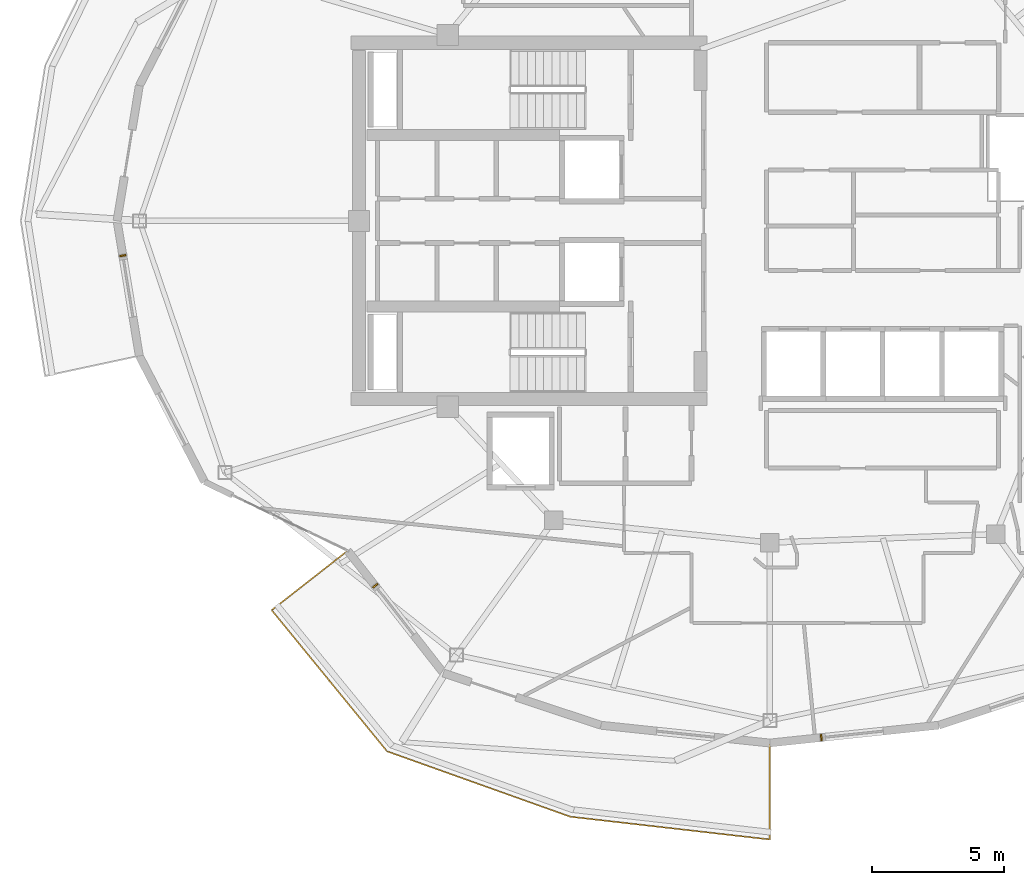
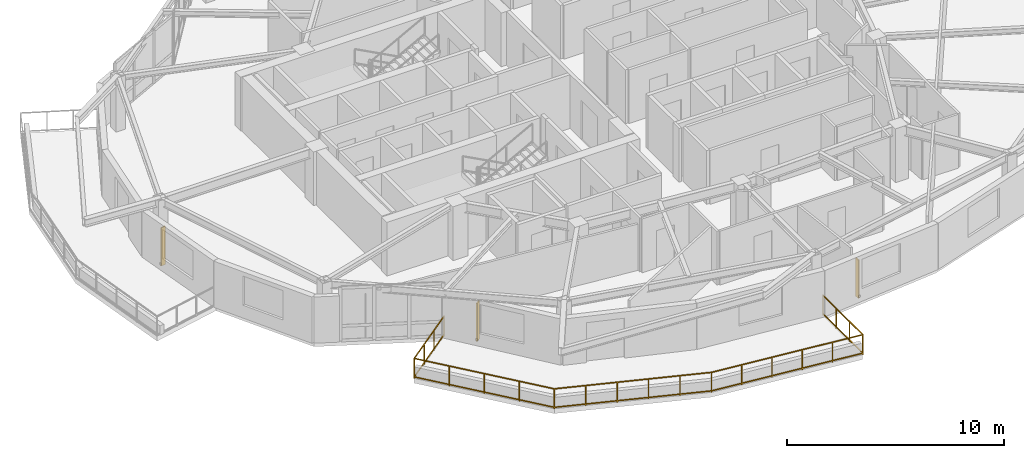
# One storey, part 11 of 14: 3 shading devices, 1 railing.
"""IFC4 building model written with IfcOpenShell, lengths in metres."""

from ifc_helpers import new_model, si_unit, direction, frame, origin, origin_2d, place, context, subcontext, project, spatial, rectangle, extrude, material, type_object, element, save


model = new_model("IFC4")

# Units and contexts
model_context = context("Model", 3, precision=1e-05, world=origin(), true_north=direction((0.0, 1.0)))
body_context = subcontext(model_context, "Body", "Model", "MODEL_VIEW")
ifc_project = project(units=[si_unit("LENGTHUNIT", "METRE"), si_unit("AREAUNIT", "SQUARE_METRE"), si_unit("VOLUMEUNIT", "CUBIC_METRE"), si_unit("PLANEANGLEUNIT", "RADIAN"), si_unit("MASSUNIT", "GRAM", prefix="KILO")], contexts=[model_context])

# Site, building, storey
site_placement = place(None, origin())
site = spatial("IfcSite", under=ifc_project, at=site_placement, CompositionType="ELEMENT")
building_placement = place(site_placement, origin())
building = spatial("IfcBuilding", under=site, at=building_placement, Name="Kolvaren Gate Tower and Convention Centre", CompositionType="ELEMENT")
storey_placement = place(building_placement, frame((0.0, 0.0, 206.300048828125)))
storey = spatial("IfcBuildingStorey", under=building, at=storey_placement, Name="L54", CompositionType="ELEMENT", Elevation=206.300048828125)

# Railing
ifc_material_1 = material(Name="Brushed Stainless Steel Grade 316L", Category="steel")
railing_type = type_object("IfcRailingType", Name="ARCH-RL-GUARD-1150", PredefinedType="GUARDRAIL", material=ifc_material_1)
railing_placement = place(storey_placement, frame((14.117431640625, 14.49267578125, 0.0)))
element("IfcRailing", 1, at=railing_placement, inside=storey, type_object=railing_type, Name="Tower L54 Terrace Perimeter Guardrail GR-3", PredefinedType="GUARDRAIL", context=body_context, shape_type="SweptSolid", body=[
    extrude(rectangle(XDim=0.048095703125, YDim=0.048095703125, at=origin_2d()), frame((-0.022216796875, -0.017333984375, 1.1259765625), z_axis=(-0.787988976981, -0.61568934712, 0.0), x_axis=(0.61568934712, -0.787988976981, 0.0)), (0.0, 0.0, 1.0), 3.60400390625),
    extrude(rectangle(XDim=0.048095703125, YDim=0.048095703125, at=origin_2d()), frame((-0.022216796875, -0.017333984375, 0.083984375), z_axis=(-0.787988976981, -0.61568934712, 0.0), x_axis=(0.61568934712, -0.787988976981, 0.0)), (0.0, 0.0, 1.0), 3.60400390625),
    extrude(rectangle(XDim=0.048095703125, YDim=0.048095703125, at=origin_2d()), frame((-2.8662109375, -2.275146484375, 1.1259765625), z_axis=(0.632718487063, -0.77438189295, 0.0), x_axis=(0.77438189295, 0.632718487063, 0.0)), (0.0, 0.0, 1.0), 6.858154296875),
    extrude(rectangle(XDim=0.048095703125, YDim=0.048095703125, at=origin_2d()), frame((-2.8662109375, -2.275146484375, 0.083984375), z_axis=(0.632718487063, -0.77438189295, 0.0), x_axis=(0.77438189295, 0.632718487063, 0.0)), (0.0, 0.0, 1.0), 6.858154296875),
    extrude(rectangle(XDim=0.048095703125, YDim=0.048095703125, at=origin_2d()), frame((1.51708984375, -7.6171875, 1.1259765625), z_axis=(0.941783827204, -0.336219010197, 0.0), x_axis=(0.336219010197, 0.941783827204, 0.0)), (0.0, 0.0, 1.0), 7.322265625),
    extrude(rectangle(XDim=0.048095703125, YDim=0.048095703125, at=origin_2d()), frame((1.51708984375, -7.6171875, 0.083984375), z_axis=(0.941783827204, -0.336219010197, 0.0), x_axis=(0.336219010197, 0.941783827204, 0.0)), (0.0, 0.0, 1.0), 7.322265625),
    extrude(rectangle(XDim=0.048095703125, YDim=0.048095703125, at=origin_2d()), frame((8.46728515625, -10.091552734375, 1.1259765625), z_axis=(0.993542586276, -0.113459813395, 0.0), x_axis=(0.113459813395, 0.993542586276, 0.0)), (0.0, 0.0, 1.0), 7.561279296875),
    extrude(rectangle(XDim=0.048095703125, YDim=0.048095703125, at=origin_2d()), frame((8.46728515625, -10.091552734375, 0.083984375), z_axis=(0.993542586276, -0.113459813395, 0.0), x_axis=(0.113459813395, 0.993542586276, 0.0)), (0.0, 0.0, 1.0), 7.561279296875),
    extrude(rectangle(XDim=0.048095703125, YDim=0.048095703125, at=origin_2d()), frame((16.007568359375, -10.924560546875, 1.1259765625), z_axis=(0.0, 1.0, 0.0), x_axis=(-1.0, 0.0, 0.0)), (0.0, 0.0, 1.0), 3.603759765625),
    extrude(rectangle(XDim=0.048095703125, YDim=0.048095703125, at=origin_2d()), frame((16.007568359375, -10.924560546875, 0.083984375), z_axis=(0.0, 1.0, 0.0), x_axis=(-1.0, 0.0, 0.0)), (0.0, 0.0, 1.0), 3.603759765625),
    extrude(rectangle(XDim=0.0419921875, YDim=0.0419921875, at=origin_2d()), origin(), (0.0, 0.0, 1.0), 1.14990234375),
    extrude(rectangle(XDim=0.0419921875, YDim=0.0419921875, at=origin_2d()), frame((-2.884033203125, -2.25341796875, 0.0)), (0.0, 0.0, 1.0), 1.14990234375),
    extrude(rectangle(XDim=0.0419921875, YDim=0.0419921875, at=origin_2d()), frame((-0.96142578125, -0.751220703125, 0.0)), (0.0, 0.0, 1.0), 1.099853515625),
    extrude(rectangle(XDim=0.0419921875, YDim=0.0419921875, at=origin_2d()), frame((-1.922607421875, -1.502197265625, 0.0)), (0.0, 0.0, 1.0), 1.099853515625),
    extrude(rectangle(XDim=0.0419921875, YDim=0.0419921875, at=origin_2d()), frame((1.49072265625, -7.607666015625, 0.0)), (0.0, 0.0, 1.0), 1.14990234375),
    extrude(rectangle(XDim=0.0419921875, YDim=0.0419921875, at=origin_2d()), frame((-1.790283203125, -3.592041015625, 0.0)), (0.0, 0.0, 1.0), 1.099853515625),
    extrude(rectangle(XDim=0.0419921875, YDim=0.0419921875, at=origin_2d()), frame((-0.69677734375, -4.9306640625, 0.0)), (0.0, 0.0, 1.0), 1.099853515625),
    extrude(rectangle(XDim=0.0419921875, YDim=0.0419921875, at=origin_2d()), frame((0.39697265625, -6.26904296875, 0.0)), (0.0, 0.0, 1.0), 1.099853515625),
    extrude(rectangle(XDim=0.0419921875, YDim=0.0419921875, at=origin_2d()), frame((8.439453125, -10.08837890625, 0.0)), (0.0, 0.0, 1.0), 1.14990234375),
    extrude(rectangle(XDim=0.0419921875, YDim=0.0419921875, at=origin_2d()), frame((2.88037109375, -8.103759765625, 0.0)), (0.0, 0.0, 1.0), 1.099853515625),
    extrude(rectangle(XDim=0.0419921875, YDim=0.0419921875, at=origin_2d()), frame((4.270263671875, -8.599853515625, 0.0)), (0.0, 0.0, 1.0), 1.099853515625),
    extrude(rectangle(XDim=0.0419921875, YDim=0.0419921875, at=origin_2d()), frame((5.659912109375, -9.09619140625, 0.0)), (0.0, 0.0, 1.0), 1.099853515625),
    extrude(rectangle(XDim=0.0419921875, YDim=0.0419921875, at=origin_2d()), frame((7.0498046875, -9.59228515625, 0.0)), (0.0, 0.0, 1.0), 1.099853515625),
    extrude(rectangle(XDim=0.0419921875, YDim=0.0419921875, at=origin_2d()), frame((16.007568359375, -10.95263671875, 0.0)), (0.0, 0.0, 1.0), 1.14990234375),
    extrude(rectangle(XDim=0.0419921875, YDim=0.0419921875, at=origin_2d()), frame((9.953125, -10.26123046875, 0.0)), (0.0, 0.0, 1.0), 1.099853515625),
    extrude(rectangle(XDim=0.0419921875, YDim=0.0419921875, at=origin_2d()), frame((11.466796875, -10.43408203125, 0.0)), (0.0, 0.0, 1.0), 1.099853515625),
    extrude(rectangle(XDim=0.0419921875, YDim=0.0419921875, at=origin_2d()), frame((12.980224609375, -10.60693359375, 0.0)), (0.0, 0.0, 1.0), 1.099853515625),
    extrude(rectangle(XDim=0.0419921875, YDim=0.0419921875, at=origin_2d()), frame((14.493896484375, -10.77978515625, 0.0)), (0.0, 0.0, 1.0), 1.099853515625),
    extrude(rectangle(XDim=0.0419921875, YDim=0.0419921875, at=origin_2d()), frame((16.007568359375, -7.292724609375, 0.0)), (0.0, 0.0, 1.0), 1.14990234375),
    extrude(rectangle(XDim=0.0419921875, YDim=0.0419921875, at=origin_2d()), frame((16.007568359375, -9.732666015625, 0.0)), (0.0, 0.0, 1.0), 1.099853515625),
    extrude(rectangle(XDim=0.0419921875, YDim=0.0419921875, at=origin_2d()), frame((16.007568359375, -8.5126953125, 0.0)), (0.0, 0.0, 1.0), 1.099853515625),
])

# Shading devices
ifc_material_2 = material(Name="Kiln-Fired Bogota Terracotta Ceramic Louvre Profile", Category="masonry")
shading_device_type = type_object("IfcShadingDeviceType", Name="ARCH-SHD-FIN-180", PredefinedType="JALOUSIE", material=ifc_material_2)
for number, where, z_axis, x_axis, name in (
    (2, (5.592041015625, 25.6806640625, 0.219970703125), (0.0, 0.0, 1.0), (0.162375401515, -0.986729055508, 0.0), "Ceramic Vertical Brise-Soleil Fin FN-L54-12"),
    (3, (15.15673828125, 13.1650390625, 0.219970703125), (0.0, 0.0, 1.0), (0.616434119112, -0.787406487651, 0.0), "Ceramic Vertical Brise-Soleil Fin FN-L54-15"),
    (4, (32.0751953125, 7.405517578125, 0.219970703125), (0.0, 0.0, 1.0), (0.994498884311, 0.104747167526, 0.0), "Ceramic Vertical Brise-Soleil Fin FN-L54-18"),
):
    element("IfcShadingDevice", number, at=place(storey_placement, frame(where, z_axis=z_axis, x_axis=x_axis)), inside=storey, type_object=shading_device_type, Name=name, PredefinedType="JALOUSIE", context=body_context, shape_type="SweptSolid", body=[
        extrude(rectangle(XDim=0.06005859375, YDim=0.239990234375, at=origin_2d()), origin(), (0.0, 0.0, 1.0), 2.14990234375),
    ])

save(model, "model.ifc")
